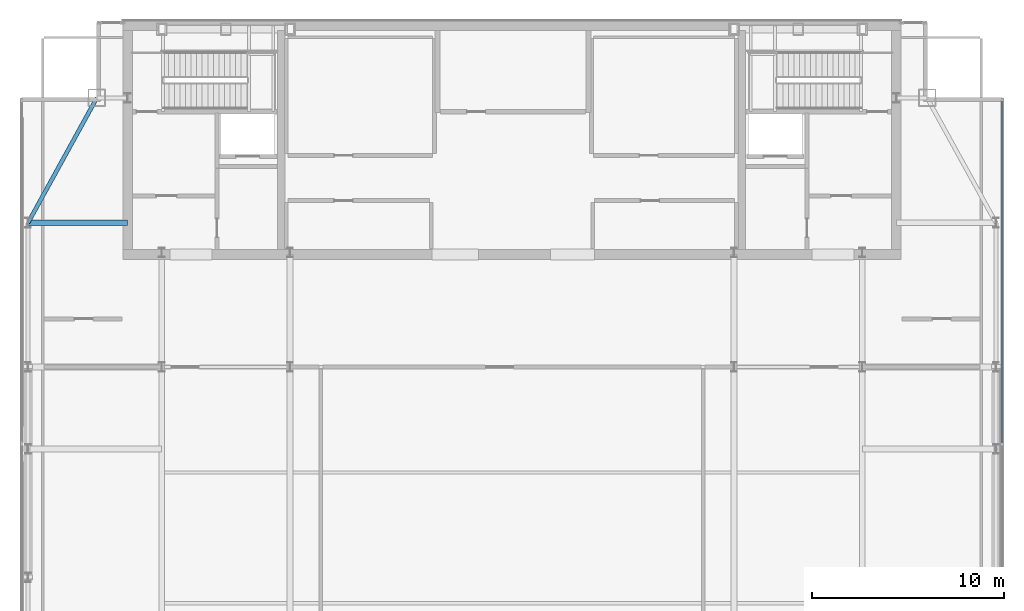
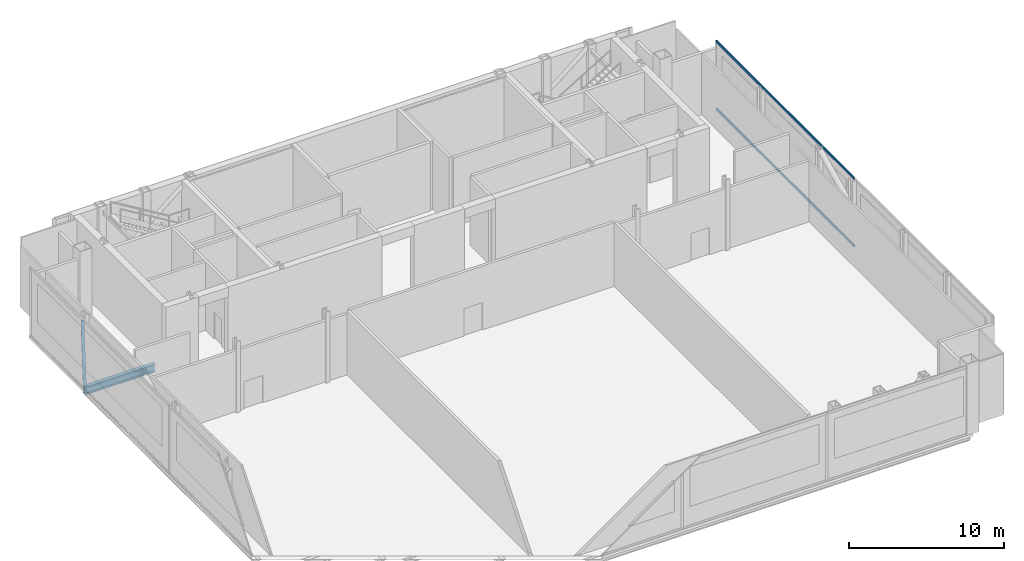
# One storey, part 15 of 22: 2 beams, 2 members, 1 element without a shape of its own.
"""IFC4 building model written with IfcOpenShell, lengths in metres."""

from ifc_helpers import new_model, si_unit, direction, frame, origin, origin_2d, place, context, subcontext, project, spatial, hollow_rectangle, i_section, extrude, material, material_profile, profile_set, type_object, element, aggregate, save


model = new_model("IFC4")

# Units and contexts
model_context = context("Model", 3, precision=1e-05, world=origin(), true_north=direction((0.0, 1.0)))
body_context = subcontext(model_context, "Body", "Model", "MODEL_VIEW")
ifc_project = project(units=[si_unit("LENGTHUNIT", "METRE"), si_unit("AREAUNIT", "SQUARE_METRE"), si_unit("VOLUMEUNIT", "CUBIC_METRE"), si_unit("PLANEANGLEUNIT", "RADIAN"), si_unit("MASSUNIT", "GRAM", prefix="KILO")], contexts=[model_context])

# Site, building, storey
site_placement = place(None, origin())
site = spatial("IfcSite", under=ifc_project, at=site_placement, CompositionType="ELEMENT")
building_placement = place(site_placement, origin())
building = spatial("IfcBuilding", under=site, at=building_placement, Name="Khoronbel Lancet Exchange", CompositionType="ELEMENT")
storey_placement = place(building_placement, frame((0.0, 0.0, 367.39990234375)))
storey = spatial("IfcBuildingStorey", under=building, at=storey_placement, Name="L94", CompositionType="ELEMENT", Elevation=367.39990234375)

# Beams
ifc_material_1 = material(Name="Steel S355", Category="steel")
ifc_material_profile_1 = material_profile(ifc_material_1, i_section(OverallWidth=0.300048828125, OverallDepth=0.60009765625, WebThickness=0.015380859375, FlangeThickness=0.030029296875, at=origin_2d()), Name="HEB 600")
ifc_profile_set_1 = profile_set([ifc_material_profile_1], Name="Steel S355")
beam_type_1 = type_object("IfcBeamType", Name="BM-BG5", PredefinedType="BEAM", material=ifc_profile_set_1)
beam_1_placement = place(storey_placement, frame((11.27001953125, 43.199951171875, -0.5), z_axis=(1.0, 0.0, 0.0), x_axis=(0.0, 1.0, 0.0)))
element("IfcBeam", 1, at=beam_1_placement, inside=storey, type_object=beam_type_1, Name="Level L94 west lens tie girder LG3W", PredefinedType="BEAM", context=body_context, shape_type="SweptSolid", body=[
    extrude(i_section(OverallWidth=0.300048828125, OverallDepth=0.60009765625, WebThickness=0.015380859375, FlangeThickness=0.030029296875, at=origin_2d()), origin(), (0.0, 0.0, 1.0), 5.179931640625),
])
ifc_material_profile_2 = material_profile(ifc_material_1, i_section(OverallWidth=0.2099609375, OverallDepth=0.550048828125, WebThickness=0.010986328125, FlangeThickness=0.01708984375, at=origin_2d()), Name="IPE 550")
ifc_profile_set_2 = profile_set([ifc_material_profile_2], Name="Steel S355")
beam_type_2 = type_object("IfcBeamType", Name="BM-BSP3", PredefinedType="SPANDREL", material=ifc_profile_set_2)
beam_2_placement = place(storey_placement, frame((14.85009765625, 49.699951171875, -0.474853515625), z_axis=(-0.482444051088, -0.875926787791, 0.0), x_axis=(0.875926787791, -0.482444051088, 0.0)))
element("IfcBeam", 2, at=beam_2_placement, inside=storey, type_object=beam_type_2, Name="Level L94 perimeter spandrel beam SP14", PredefinedType="SPANDREL", context=body_context, shape_type="SweptSolid", body=[
    extrude(i_section(OverallWidth=0.2099609375, OverallDepth=0.550048828125, WebThickness=0.010986328125, FlangeThickness=0.01708984375, at=origin_2d()), origin(), (0.0, 0.0, 1.0), 7.420654296875),
])

# Curtain wall, members
ifc_material_2 = material(Name="Low-E Solar Control Insulating Glass", Category="glass")
curtain_wall_type = type_object("IfcCurtainWallType", Name="CW-6", PredefinedType="NOTDEFINED", material=ifc_material_2)
curtain_wall_placement = place(storey_placement, origin())
curtain_wall = element("IfcCurtainWall", 3, at=curtain_wall_placement, inside=storey, type_object=curtain_wall_type, Name="Unitised curtain wall CW-L94-E09", PredefinedType="NOTDEFINED")
ifc_material_3 = material(Name="Bronze-Anodised Aluminium 6063-T6", Category="aluminium")
ifc_material_profile_3 = material_profile(ifc_material_3, hollow_rectangle(XDim=0.0849609375, YDim=0.179931640625, WallThickness=0.0048828125, at=origin_2d()), Name="ALU TRANSOM 85x180")
ifc_profile_set_3 = profile_set([ifc_material_profile_3], Name="Bronze-Anodised Aluminium 6063-T6")
member_type = type_object("IfcMemberType", Name="MEM-CWT1", PredefinedType="USERDEFINED", material=ifc_profile_set_3)
member_1_placement = place(storey_placement, frame((61.9599609375, 49.534912109375, 0.04248046875), z_axis=(0.0, -1.0, 0.0), x_axis=(1.0, 0.0, 0.0)))
member_1 = element("IfcMember", 4, at=member_1_placement, type_object=member_type, Name="CW6 transom 1.1", ObjectType="TRANSOM", PredefinedType="USERDEFINED", context=body_context, shape_type="SweptSolid", body=[
    extrude(hollow_rectangle(XDim=0.0849609375, YDim=0.179931640625, WallThickness=0.0048828125, at=origin_2d()), origin(), (0.0, 0.0, 1.0), 17.79736328125),
])
member_2_placement = place(storey_placement, frame((61.9599609375, 49.534912109375, 5.357666015625), z_axis=(0.0, -1.0, 0.0), x_axis=(1.0, 0.0, 0.0)))
member_2 = element("IfcMember", 5, at=member_2_placement, type_object=member_type, Name="CW6 transom 1.2", ObjectType="TRANSOM", PredefinedType="USERDEFINED", context=body_context, shape_type="SweptSolid", body=[
    extrude(hollow_rectangle(XDim=0.0849609375, YDim=0.179931640625, WallThickness=0.0048828125, at=origin_2d()), origin(), (0.0, 0.0, 1.0), 17.79736328125),
])
aggregate(curtain_wall, [member_1, member_2])

save(model, "model.ifc")
